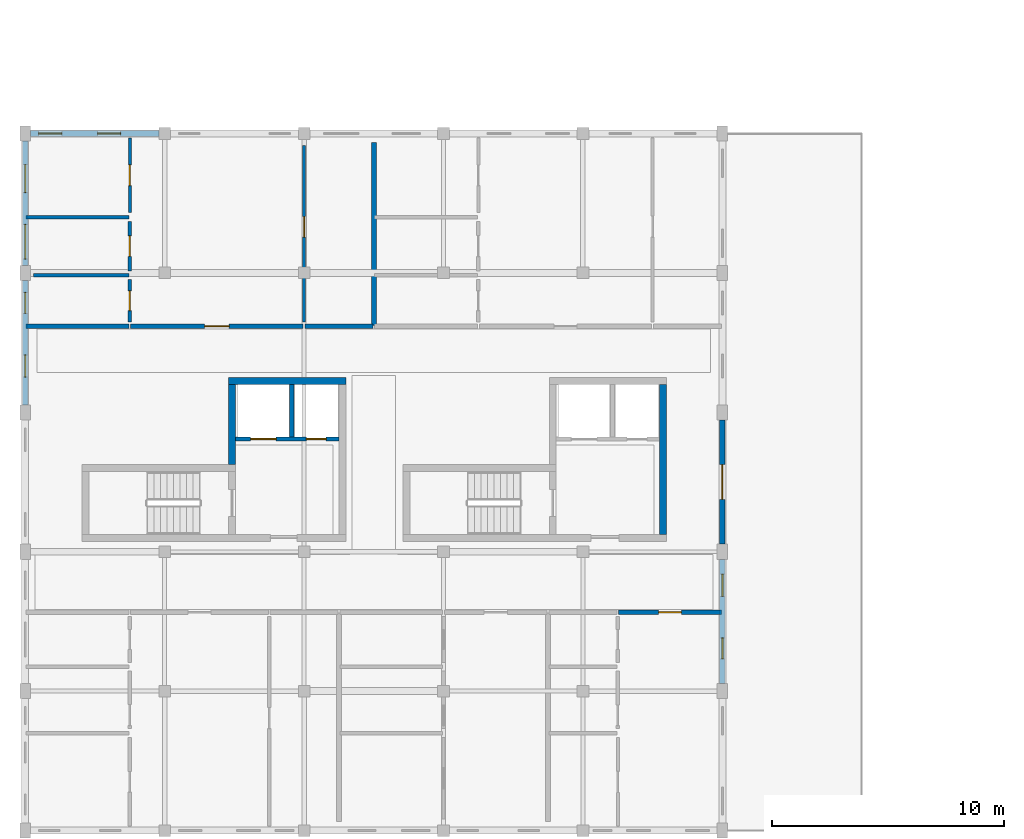
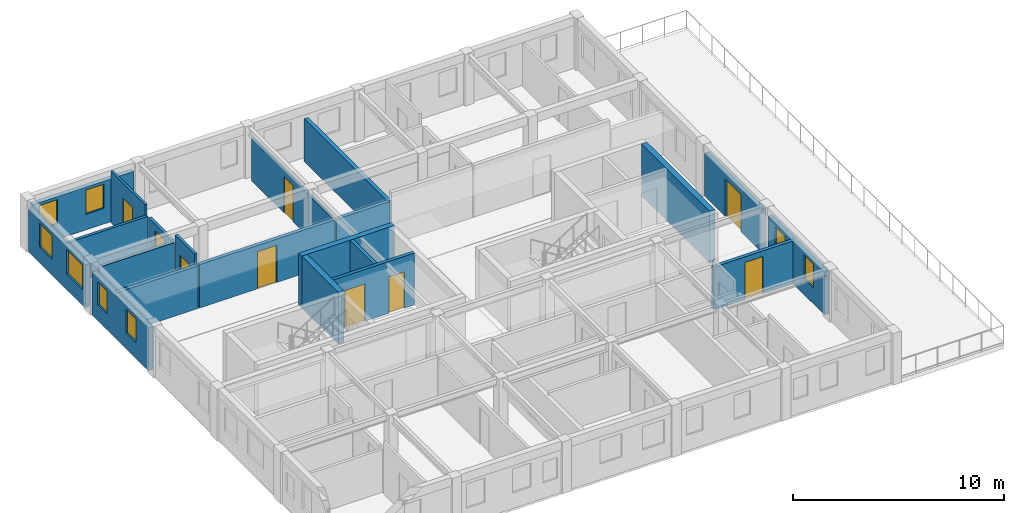
# One storey, part 5 of 13: 21 walls, 9 doors, 8 windows, 17 openings.
"""IFC4 building model written with IfcOpenShell, lengths in metres."""

from ifc_helpers import new_model, si_unit, direction, frame, frame_2d, origin, place, context, subcontext, project, spatial, rectangle, extrude, material, layer, layer_set, type_object, element, fill, save


model = new_model("IFC4")

# Units and contexts
model_context = context("Model", 3, precision=1e-05, world=origin(), true_north=direction((0.0, 1.0)))
body_context = subcontext(model_context, "Body", "Model", "MODEL_VIEW")
ifc_project = project(units=[si_unit("LENGTHUNIT", "METRE"), si_unit("AREAUNIT", "SQUARE_METRE"), si_unit("VOLUMEUNIT", "CUBIC_METRE"), si_unit("PLANEANGLEUNIT", "RADIAN"), si_unit("MASSUNIT", "GRAM", prefix="KILO"), si_unit("POWERUNIT", "WATT"), si_unit("THERMODYNAMICTEMPERATUREUNIT", "KELVIN")], contexts=[model_context])

# Site, building, storey
site_placement = place(None, origin())
site = spatial("IfcSite", under=ifc_project, at=site_placement, CompositionType="ELEMENT")
building_placement = place(site_placement, origin())
building = spatial("IfcBuilding", under=site, at=building_placement, Name="Ruvembo Vaulted Housing Court", CompositionType="ELEMENT")
storey_placement = place(building_placement, frame((0.0, 0.0, 33.300048828125)))
storey = spatial("IfcBuildingStorey", under=building, at=storey_placement, Name="L10", CompositionType="ELEMENT", Elevation=33.300048828125)

# Walls
ifc_material_1 = material(Name="Concrete C35/45", Category="concrete")
ifc_layer_1 = layer(ifc_material_1, 0.300048828125, Name="Concrete C35/45")
ifc_layer_set_1 = layer_set([ifc_layer_1], Name="Concrete C35/45")
wall_type_1 = type_object("IfcWallType", Name="WL-CORE-300", PredefinedType="SHEAR", material=ifc_layer_set_1)
wall_1_placement = place(storey_placement, frame((13.800048828125, 25.35009765625, 0.0), z_axis=(0.0, 0.0, 1.0), x_axis=(-1.0, 0.0, 0.0)))
element("IfcWall", 1, at=wall_1_placement, inside=storey, type_object=wall_type_1, Name="Core A1 L10 North Shear Wall", PredefinedType="SHEAR", context=body_context, shape_type="SweptSolid", body=[
    extrude(rectangle(XDim=5.050048828125, YDim=0.300048828125, at=frame_2d((2.52490234375, 0.0))), origin(), (0.0, 0.0, 1.0), 2.989990234375),
])
wall_2_placement = place(storey_placement, frame((8.89990234375, 21.75, 0.0), z_axis=(0.0, 0.0, 1.0), x_axis=(0.0, 1.0, 0.0)))
element("IfcWall", 2, at=wall_2_placement, inside=storey, type_object=wall_type_1, Name="Core A1 L10 Upper West Shear Wall", PredefinedType="SHEAR", context=body_context, shape_type="SweptSolid", body=[
    extrude(rectangle(XDim=3.449951171875, YDim=0.300048828125, at=frame_2d((1.72509765625, 0.0))), origin(), (0.0, 0.0, 1.0), 2.989990234375),
])
wall_3_placement = place(storey_placement, frame((27.449951171875, 18.75, 0.0), z_axis=(0.0, 0.0, 1.0), x_axis=(0.0, 1.0, 0.0)))
element("IfcWall", 3, at=wall_3_placement, inside=storey, type_object=wall_type_1, Name="Core A2 L10 East Shear Wall", PredefinedType="SHEAR", context=body_context, shape_type="SweptSolid", body=[
    extrude(rectangle(XDim=6.449951171875, YDim=0.300048828125, at=frame_2d((3.22509765625, 0.0))), origin(), (0.0, 0.0, 1.0), 2.989990234375),
])

# Wall, opening, door
ifc_material_2 = material(Name="Concrete Blockwork 190", Category="masonry")
ifc_layer_2 = layer(ifc_material_2, 0.18994140625, Name="Concrete Blockwork 190")
ifc_layer_set_2 = layer_set([ifc_layer_2], Name="Concrete Blockwork 190")
wall_type_2 = type_object("IfcWallType", Name="WL-CORR-190", PredefinedType="SOLIDWALL", material=ifc_layer_set_2)
wall_4_placement = place(storey_placement, frame((25.5400390625, 15.39990234375, 0.0), z_axis=(0.0, 0.0, 1.0), x_axis=(1.0, 0.0, 0.0)))
wall_4 = element("IfcWall", 4, at=wall_4_placement, inside=storey, type_object=wall_type_2, Name="L10 Flat A-L10-S3 Entrance WL-INT-L10-02218", PredefinedType="SOLIDWALL", context=body_context, shape_type="SweptSolid", body=[
    extrude(rectangle(XDim=4.419921875, YDim=0.18994140625, at=frame_2d((2.2099609375, 0.0))), origin(), (0.0, 0.0, 1.0), 2.471923828125),
])
opening_1_placement = place(wall_4_placement, frame((1.719970703125, 0.0, 0.0)))
opening_1 = element("IfcOpeningElement", 5, at=opening_1_placement, cuts=wall_4, Name="Opening FD2", PredefinedType="OPENING", context=body_context, shape_type="SweptSolid", body=[
    extrude(rectangle(XDim=0.97998046875, YDim=2.14990234375, at=frame_2d((0.489990234375, 1.074951171875))), frame((0.0, 0.10498046875, 0.0), z_axis=(0.0, -1.0, 0.0), x_axis=(1.0, 0.0, 0.0)), (0.0, 0.0, 1.0), 0.2099609375),
])
ifc_material_3 = material(Name="FSC Hardwood and Engineered Timber", Category="wood")
door_type_1 = type_object("IfcDoorType", Name="DR-FLAT-0980x2150", OperationType="NOTDEFINED", PredefinedType="DOOR", material=ifc_material_3)
door_1_placement = place(opening_1_placement, origin())
door_1 = element("IfcDoor", 6, at=door_1_placement, inside=storey, type_object=door_type_1, Name="L10 Flat A-L10-S3 Entrance Door DR-INT-L10-01231", OperationType="SINGLE_SWING_LEFT", OverallHeight=2.14990234375, OverallWidth=0.97998046875, PredefinedType="DOOR", context=body_context, shape_type="SweptSolid", body=[
    extrude(rectangle(XDim=0.97998046875, YDim=2.14990234375, at=frame_2d((0.489990234375, 1.074951171875))), frame((0.0, 0.02490234375, 0.0), z_axis=(0.0, -1.0, 0.0), x_axis=(1.0, 0.0, 0.0)), (0.0, 0.0, 1.0), 0.050048828125),
])
fill(opening_1, door_1)

# Wall
wall_5_placement = place(storey_placement, frame((0.0400390625, 27.699951171875, 0.0), z_axis=(0.0, 0.0, 1.0), x_axis=(1.0, 0.0, 0.0)))
element("IfcWall", 7, at=wall_5_placement, inside=storey, type_object=wall_type_2, Name="L10 Flat A-L10-N1 Corridor Wall WL-INT-L10-02225", PredefinedType="SOLIDWALL", context=body_context, shape_type="SweptSolid", body=[
    extrude(rectangle(XDim=4.419921875, YDim=0.18994140625, at=frame_2d((2.2099609375, 0.0))), origin(), (0.0, 0.0, 1.0), 2.471923828125),
])

# Wall, opening, door
wall_6_placement = place(storey_placement, frame((4.5400390625, 27.699951171875, 0.0), z_axis=(0.0, 0.0, 1.0), x_axis=(1.0, 0.0, 0.0)))
wall_6 = element("IfcWall", 8, at=wall_6_placement, inside=storey, type_object=wall_type_2, Name="L10 Flat A-L10-N1 Entrance WL-INT-L10-02226", PredefinedType="SOLIDWALL", context=body_context, shape_type="SweptSolid", body=[
    extrude(rectangle(XDim=7.419921875, YDim=0.18994140625, at=frame_2d((3.7099609375, 0.0))), origin(), (0.0, 0.0, 1.0), 2.508056640625),
])
opening_2_placement = place(wall_6_placement, frame((3.18505859375, 0.0, 0.0)))
opening_2 = element("IfcOpeningElement", 9, at=opening_2_placement, cuts=wall_6, Name="Opening FD3", PredefinedType="OPENING", context=body_context, shape_type="SweptSolid", body=[
    extrude(rectangle(XDim=1.050048828125, YDim=2.14990234375, at=frame_2d((0.52490234375, 1.074951171875))), frame((0.0, 0.10498046875, 0.0), z_axis=(0.0, -1.0, 0.0), x_axis=(1.0, 0.0, 0.0)), (0.0, 0.0, 1.0), 0.2099609375),
])
door_type_2 = type_object("IfcDoorType", Name="DR-FLAT-1050x2150", OperationType="NOTDEFINED", PredefinedType="DOOR", material=ifc_material_3)
door_2_placement = place(opening_2_placement, origin())
door_2 = element("IfcDoor", 10, at=door_2_placement, inside=storey, type_object=door_type_2, Name="L10 Flat A-L10-N1 Entrance Door DR-INT-L10-01235", OperationType="SINGLE_SWING_LEFT", OverallHeight=2.14990234375, OverallWidth=1.050048828125, PredefinedType="DOOR", context=body_context, shape_type="SweptSolid", body=[
    extrude(rectangle(XDim=1.050048828125, YDim=2.14990234375, at=frame_2d((0.52490234375, 1.074951171875))), frame((0.0, 0.02490234375, 0.0), z_axis=(0.0, -1.0, 0.0), x_axis=(1.0, 0.0, 0.0)), (0.0, 0.0, 1.0), 0.050048828125),
])
fill(opening_2, door_2)

# Walls
wall_7_placement = place(storey_placement, frame((12.0400390625, 27.699951171875, 0.0), z_axis=(0.0, 0.0, 1.0), x_axis=(1.0, 0.0, 0.0)))
element("IfcWall", 11, at=wall_7_placement, inside=storey, type_object=wall_type_2, Name="L10 Flat A-L10-N1 Corridor Wall 2 WL-INT-L10-02232", PredefinedType="SOLIDWALL", context=body_context, shape_type="SweptSolid", body=[
    extrude(rectangle(XDim=2.919921875, YDim=0.18994140625, at=frame_2d((1.4599609375, 0.0))), origin(), (0.0, 0.0, 1.0), 2.508056640625),
])
ifc_material_4 = material(Name="Acoustic Masonry Demising 220", Category="masonry")
ifc_layer_3 = layer(ifc_material_4, 0.219970703125, Name="Acoustic Masonry Demising 220")
ifc_layer_set_3 = layer_set([ifc_layer_3], Name="Acoustic Masonry Demising 220")
wall_type_3 = type_object("IfcWallType", Name="WL-DEM-200", PredefinedType="SOLIDWALL", material=ifc_layer_set_3)
wall_8_placement = place(storey_placement, frame((15.0, 27.739990234375, 0.0), z_axis=(0.0, 0.0, 1.0), x_axis=(0.0, 1.0, 0.0)))
element("IfcWall", 12, at=wall_8_placement, inside=storey, type_object=wall_type_3, Name="L10 Demising A-L10-N1 WL-INT-L10-02224", PredefinedType="SOLIDWALL", context=body_context, shape_type="SweptSolid", body=[
    extrude(rectangle(XDim=7.8701171875, YDim=0.219970703125, at=frame_2d((3.93505859375, 0.0))), origin(), (0.0, 0.0, 1.0), 2.471923828125),
])

# Wall, openings, windows
ifc_material_5 = material(Name="Rendered Masonry 245", Category="masonry")
ifc_layer_4 = layer(ifc_material_5, 0.2451171875, Name="Rendered Masonry 245")
ifc_layer_set_4 = layer_set([ifc_layer_4], Name="Rendered Masonry 245")
wall_type_4 = type_object("IfcWallType", Name="WL-EXT-245", PredefinedType="STANDARD", material=ifc_layer_set_4)
wall_9_placement = place(storey_placement, frame((30.0, 12.324951171875, 0.0), z_axis=(0.0, 0.0, 1.0), x_axis=(0.0, 1.0, 0.0)))
wall_9 = element("IfcWall", 13, at=wall_9_placement, inside=storey, type_object=wall_type_4, Name="Block A L10 Exterior Wall EAST #2", PredefinedType="STANDARD", context=body_context, shape_type="SweptSolid", body=[
    extrude(rectangle(XDim=5.35009765625, YDim=0.2451171875, at=frame_2d((2.675048828125, 0.0))), origin(), (0.0, 0.0, 1.0), 2.471923828125),
])
opening_3_placement = place(wall_9_placement, frame((1.0673828125, 0.0, 0.89990234375)))
opening_3 = element("IfcOpeningElement", 14, at=opening_3_placement, cuts=wall_9, Name="Opening W05", PredefinedType="OPENING", context=body_context, shape_type="SweptSolid", body=[
    extrude(rectangle(XDim=0.89990234375, YDim=1.39990234375, at=frame_2d((0.449951171875, 0.699951171875))), frame((0.0, 0.132568359375, 0.0), z_axis=(0.0, -1.0, 0.0), x_axis=(1.0, 0.0, 0.0)), (0.0, 0.0, 1.0), 0.26513671875),
])
opening_4_placement = place(wall_9_placement, frame((3.757568359375, 0.0, 0.89990234375)))
opening_4 = element("IfcOpeningElement", 15, at=opening_4_placement, cuts=wall_9, Name="Opening W07", PredefinedType="OPENING", context=body_context, shape_type="SweptSolid", body=[
    extrude(rectangle(XDim=0.949951171875, YDim=1.35009765625, at=frame_2d((0.47509765625, 0.675048828125))), frame((0.0, 0.132568359375, 0.0), z_axis=(0.0, -1.0, 0.0), x_axis=(1.0, 0.0, 0.0)), (0.0, 0.0, 1.0), 0.26513671875),
])
ifc_material_6 = material(Name="Double Solar-Control Glazing in Aluminium Frame", Category="aluminium")
window_type_1 = type_object("IfcWindowType", Name="WIN-0900x1400", PartitioningType="SINGLE_PANEL", PredefinedType="WINDOW", material=ifc_material_6)
window_1_placement = place(opening_3_placement, origin())
window_1 = element("IfcWindow", 16, at=window_1_placement, inside=storey, type_object=window_type_1, Name="Block A L10 Window #444", OverallHeight=1.39990234375, OverallWidth=0.89990234375, PartitioningType="SINGLE_PANEL", PredefinedType="WINDOW", context=body_context, shape_type="SweptSolid", body=[
    extrude(rectangle(XDim=0.89990234375, YDim=1.39990234375, at=frame_2d((0.449951171875, 0.699951171875))), frame((0.0, 0.030029296875, 0.0), z_axis=(0.0, -1.0, 0.0), x_axis=(1.0, 0.0, 0.0)), (0.0, 0.0, 1.0), 0.06005859375),
])
fill(opening_3, window_1)
window_type_2 = type_object("IfcWindowType", Name="WIN-0950x1350", PartitioningType="SINGLE_PANEL", PredefinedType="WINDOW", material=ifc_material_6)
window_2_placement = place(opening_4_placement, origin())
window_2 = element("IfcWindow", 17, at=window_2_placement, inside=storey, type_object=window_type_2, Name="Block A L10 Window #445", OverallHeight=1.35009765625, OverallWidth=0.949951171875, PartitioningType="SINGLE_PANEL", PredefinedType="WINDOW", context=body_context, shape_type="SweptSolid", body=[
    extrude(rectangle(XDim=0.949951171875, YDim=1.35009765625, at=frame_2d((0.47509765625, 0.675048828125))), frame((0.0, 0.030029296875, 0.0), z_axis=(0.0, -1.0, 0.0), x_axis=(1.0, 0.0, 0.0)), (0.0, 0.0, 1.0), 0.06005859375),
])
fill(opening_4, window_2)

# Wall, opening, door
wall_10_placement = place(storey_placement, frame((30.0, 18.324951171875, 0.0), z_axis=(0.0, 0.0, 1.0), x_axis=(0.0, 1.0, 0.0)))
wall_10 = element("IfcWall", 18, at=wall_10_placement, inside=storey, type_object=wall_type_4, Name="Block A L10 Exterior Wall EAST #3", PredefinedType="STANDARD", context=body_context, shape_type="SweptSolid", body=[
    extrude(rectangle(XDim=5.35009765625, YDim=0.2451171875, at=frame_2d((2.675048828125, 0.0))), origin(), (0.0, 0.0, 1.0), 2.471923828125),
])
opening_5_placement = place(wall_10_placement, frame((1.925048828125, 0.0, 0.0)))
opening_5 = element("IfcOpeningElement", 19, at=opening_5_placement, cuts=wall_10, Name="Opening TD1", PredefinedType="OPENING", context=body_context, shape_type="SweptSolid", body=[
    extrude(rectangle(XDim=1.5, YDim=2.14990234375, at=frame_2d((0.75, 1.074951171875))), frame((0.0, 0.132568359375, 0.0), z_axis=(0.0, -1.0, 0.0), x_axis=(1.0, 0.0, 0.0)), (0.0, 0.0, 1.0), 0.26513671875),
])
ifc_material_7 = material(Name="Thermally Broken Glazed Aluminium", Category="aluminium")
door_type_3 = type_object("IfcDoorType", Name="DR-TER-1500x2150", OperationType="NOTDEFINED", PredefinedType="DOOR", material=ifc_material_7)
door_3_placement = place(opening_5_placement, frame((1.5, 0.0, 0.0), z_axis=(0.0, 0.0, 1.0), x_axis=(-1.0, 0.0, 0.0)))
door_3 = element("IfcDoor", 20, at=door_3_placement, inside=storey, type_object=door_type_3, Name="Block A L10 Terrace or Gallery Door DR-TER-A-L10-024", OperationType="SINGLE_SWING_LEFT", OverallHeight=2.14990234375, OverallWidth=1.5, PredefinedType="DOOR", context=body_context, shape_type="SweptSolid", body=[
    extrude(rectangle(XDim=1.5, YDim=2.14990234375, at=frame_2d((0.75, 1.074951171875))), frame((0.0, 0.02490234375, 0.0), z_axis=(0.0, -1.0, 0.0), x_axis=(1.0, 0.0, 0.0)), (0.0, 0.0, 1.0), 0.050048828125),
])
fill(opening_5, door_3)

# Wall, openings, windows
wall_11_placement = place(storey_placement, frame((5.75, 36.0, 0.0), z_axis=(0.0, 0.0, 1.0), x_axis=(-1.0, 0.0, 0.0)))
wall_11 = element("IfcWall", 21, at=wall_11_placement, inside=storey, type_object=wall_type_4, Name="Block A L10 Exterior Wall COURTYARD #5", PredefinedType="STANDARD", context=body_context, shape_type="SweptSolid", body=[
    extrude(rectangle(XDim=5.52490234375, YDim=0.2451171875, at=frame_2d((2.762451171875, 0.0))), origin(), (0.0, 0.0, 1.0), 2.471923828125),
])
opening_6_placement = place(wall_11_placement, frame((1.639892578125, 0.0, 0.89990234375)))
opening_6 = element("IfcOpeningElement", 22, at=opening_6_placement, cuts=wall_11, Name="Opening W08", PredefinedType="OPENING", context=body_context, shape_type="SweptSolid", body=[
    extrude(rectangle(XDim=1.0, YDim=1.39990234375, at=frame_2d((0.5, 0.699951171875))), frame((0.0, 0.132568359375, 0.0), z_axis=(0.0, -1.0, 0.0), x_axis=(1.0, 0.0, 0.0)), (0.0, 0.0, 1.0), 0.26513671875),
])
opening_7_placement = place(wall_11_placement, frame((4.175048828125, 0.0, 0.89990234375)))
opening_7 = element("IfcOpeningElement", 23, at=opening_7_placement, cuts=wall_11, Name="Opening W08", PredefinedType="OPENING", context=body_context, shape_type="SweptSolid", body=[
    extrude(rectangle(XDim=1.0, YDim=1.39990234375, at=frame_2d((0.5, 0.699951171875))), frame((0.0, 0.132568359375, 0.0), z_axis=(0.0, -1.0, 0.0), x_axis=(1.0, 0.0, 0.0)), (0.0, 0.0, 1.0), 0.26513671875),
])
window_type_3 = type_object("IfcWindowType", Name="WIN-1000x1400", PartitioningType="SINGLE_PANEL", PredefinedType="WINDOW", material=ifc_material_6)
window_3_placement = place(opening_6_placement, origin())
window_3 = element("IfcWindow", 24, at=window_3_placement, inside=storey, type_object=window_type_3, Name="Block A L10 Window #458", OverallHeight=1.39990234375, OverallWidth=1.0, PartitioningType="SINGLE_PANEL", PredefinedType="WINDOW", context=body_context, shape_type="SweptSolid", body=[
    extrude(rectangle(XDim=1.0, YDim=1.39990234375, at=frame_2d((0.5, 0.699951171875))), frame((0.0, 0.030029296875, 0.0), z_axis=(0.0, -1.0, 0.0), x_axis=(1.0, 0.0, 0.0)), (0.0, 0.0, 1.0), 0.06005859375),
])
fill(opening_6, window_3)
window_4_placement = place(opening_7_placement, origin())
window_4 = element("IfcWindow", 25, at=window_4_placement, inside=storey, type_object=window_type_3, Name="Block A L10 Window #459", OverallHeight=1.39990234375, OverallWidth=1.0, PartitioningType="SINGLE_PANEL", PredefinedType="WINDOW", context=body_context, shape_type="SweptSolid", body=[
    extrude(rectangle(XDim=1.0, YDim=1.39990234375, at=frame_2d((0.5, 0.699951171875))), frame((0.0, 0.030029296875, 0.0), z_axis=(0.0, -1.0, 0.0), x_axis=(1.0, 0.0, 0.0)), (0.0, 0.0, 1.0), 0.06005859375),
])
fill(opening_7, window_4)

wall_12_placement = place(storey_placement, frame((0.0, 35.675048828125, 0.0), z_axis=(0.0, 0.0, 1.0), x_axis=(0.0, -1.0, 0.0)))
wall_12 = element("IfcWall", 26, at=wall_12_placement, inside=storey, type_object=wall_type_4, Name="Block A L10 Exterior Wall WEST #1", PredefinedType="STANDARD", context=body_context, shape_type="SweptSolid", body=[
    extrude(rectangle(XDim=5.35009765625, YDim=0.2451171875, at=frame_2d((2.675048828125, 0.0))), origin(), (0.0, 0.0, 1.0), 2.471923828125),
])
opening_8_placement = place(wall_12_placement, frame((1.017578125, 0.0, 0.89990234375)))
opening_8 = element("IfcOpeningElement", 27, at=opening_8_placement, cuts=wall_12, Name="Opening W12", PredefinedType="OPENING", context=body_context, shape_type="SweptSolid", body=[
    extrude(rectangle(XDim=1.199951171875, YDim=1.35009765625, at=frame_2d((0.60009765625, 0.675048828125))), frame((0.0, 0.132568359375, 0.0), z_axis=(0.0, -1.0, 0.0), x_axis=(1.0, 0.0, 0.0)), (0.0, 0.0, 1.0), 0.26513671875),
])
opening_9_placement = place(wall_12_placement, frame((3.58251953125, 0.0, 0.89990234375)))
opening_9 = element("IfcOpeningElement", 28, at=opening_9_placement, cuts=wall_12, Name="Opening W18", PredefinedType="OPENING", context=body_context, shape_type="SweptSolid", body=[
    extrude(rectangle(XDim=1.5, YDim=1.39990234375, at=frame_2d((0.75, 0.699951171875))), frame((0.0, 0.132568359375, 0.0), z_axis=(0.0, -1.0, 0.0), x_axis=(1.0, 0.0, 0.0)), (0.0, 0.0, 1.0), 0.26513671875),
])
window_type_4 = type_object("IfcWindowType", Name="WIN-1200x1350", PartitioningType="SINGLE_PANEL", PredefinedType="WINDOW", material=ifc_material_6)
window_5_placement = place(opening_8_placement, origin())
window_5 = element("IfcWindow", 29, at=window_5_placement, inside=storey, type_object=window_type_4, Name="Block A L10 Window #460", OverallHeight=1.35009765625, OverallWidth=1.199951171875, PartitioningType="SINGLE_PANEL", PredefinedType="WINDOW", context=body_context, shape_type="SweptSolid", body=[
    extrude(rectangle(XDim=1.199951171875, YDim=1.35009765625, at=frame_2d((0.60009765625, 0.675048828125))), frame((0.0, 0.030029296875, 0.0), z_axis=(0.0, -1.0, 0.0), x_axis=(1.0, 0.0, 0.0)), (0.0, 0.0, 1.0), 0.06005859375),
])
fill(opening_8, window_5)
window_type_5 = type_object("IfcWindowType", Name="WIN-1500x1400", PartitioningType="SINGLE_PANEL", PredefinedType="WINDOW", material=ifc_material_6)
window_6_placement = place(opening_9_placement, origin())
window_6 = element("IfcWindow", 30, at=window_6_placement, inside=storey, type_object=window_type_5, Name="Block A L10 Window #461", OverallHeight=1.39990234375, OverallWidth=1.5, PartitioningType="SINGLE_PANEL", PredefinedType="WINDOW", context=body_context, shape_type="SweptSolid", body=[
    extrude(rectangle(XDim=1.5, YDim=1.39990234375, at=frame_2d((0.75, 0.699951171875))), frame((0.0, 0.030029296875, 0.0), z_axis=(0.0, -1.0, 0.0), x_axis=(1.0, 0.0, 0.0)), (0.0, 0.0, 1.0), 0.06005859375),
])
fill(opening_9, window_6)

wall_13_placement = place(storey_placement, frame((0.0, 29.675048828125, 0.0), z_axis=(0.0, 0.0, 1.0), x_axis=(0.0, -1.0, 0.0)))
wall_13 = element("IfcWall", 31, at=wall_13_placement, inside=storey, type_object=wall_type_4, Name="Block A L10 Exterior Wall WEST #2", PredefinedType="STANDARD", context=body_context, shape_type="SweptSolid", body=[
    extrude(rectangle(XDim=5.35009765625, YDim=0.2451171875, at=frame_2d((2.675048828125, 0.0))), origin(), (0.0, 0.0, 1.0), 2.471923828125),
])
opening_10_placement = place(wall_13_placement, frame((0.517578125, 0.0, 0.89990234375)))
opening_10 = element("IfcOpeningElement", 32, at=opening_10_placement, cuts=wall_13, Name="Opening W04", PredefinedType="OPENING", context=body_context, shape_type="SweptSolid", body=[
    extrude(rectangle(XDim=0.89990234375, YDim=1.300048828125, at=frame_2d((0.449951171875, 0.64990234375))), frame((0.0, 0.132568359375, 0.0), z_axis=(0.0, -1.0, 0.0), x_axis=(1.0, 0.0, 0.0)), (0.0, 0.0, 1.0), 0.26513671875),
])
opening_11_placement = place(wall_13_placement, frame((3.20751953125, 0.0, 0.89990234375)))
opening_11 = element("IfcOpeningElement", 33, at=opening_11_placement, cuts=wall_13, Name="Opening W07", PredefinedType="OPENING", context=body_context, shape_type="SweptSolid", body=[
    extrude(rectangle(XDim=0.949951171875, YDim=1.35009765625, at=frame_2d((0.47509765625, 0.675048828125))), frame((0.0, 0.132568359375, 0.0), z_axis=(0.0, -1.0, 0.0), x_axis=(1.0, 0.0, 0.0)), (0.0, 0.0, 1.0), 0.26513671875),
])
window_type_6 = type_object("IfcWindowType", Name="WIN-0900x1300", PartitioningType="SINGLE_PANEL", PredefinedType="WINDOW", material=ifc_material_6)
window_7_placement = place(opening_10_placement, origin())
window_7 = element("IfcWindow", 34, at=window_7_placement, inside=storey, type_object=window_type_6, Name="Block A L10 Window #462", OverallHeight=1.300048828125, OverallWidth=0.89990234375, PartitioningType="SINGLE_PANEL", PredefinedType="WINDOW", context=body_context, shape_type="SweptSolid", body=[
    extrude(rectangle(XDim=0.89990234375, YDim=1.300048828125, at=frame_2d((0.449951171875, 0.64990234375))), frame((0.0, 0.030029296875, 0.0), z_axis=(0.0, -1.0, 0.0), x_axis=(1.0, 0.0, 0.0)), (0.0, 0.0, 1.0), 0.06005859375),
])
fill(opening_10, window_7)
window_8_placement = place(opening_11_placement, origin())
window_8 = element("IfcWindow", 35, at=window_8_placement, inside=storey, type_object=window_type_2, Name="Block A L10 Window #463", OverallHeight=1.35009765625, OverallWidth=0.949951171875, PartitioningType="SINGLE_PANEL", PredefinedType="WINDOW", context=body_context, shape_type="SweptSolid", body=[
    extrude(rectangle(XDim=0.949951171875, YDim=1.35009765625, at=frame_2d((0.47509765625, 0.675048828125))), frame((0.0, 0.030029296875, 0.0), z_axis=(0.0, -1.0, 0.0), x_axis=(1.0, 0.0, 0.0)), (0.0, 0.0, 1.0), 0.06005859375),
])
fill(opening_11, window_8)

# Wall, opening, door
ifc_material_8 = material(Name="Plasterboard Stud Partition 125", Category="gypsum")
ifc_layer_5 = layer(ifc_material_8, 0.125, Name="Plasterboard Stud Partition 125")
ifc_layer_set_5 = layer_set([ifc_layer_5], Name="Plasterboard Stud Partition 125")
wall_type_5 = type_object("IfcWallType", Name="WL-PART-125", PredefinedType="PARTITIONING", material=ifc_layer_set_5)
wall_14_placement = place(storey_placement, frame((4.5, 32.590087890625, 0.0), z_axis=(0.0, 0.0, 1.0), x_axis=(0.0, 1.0, 0.0)))
wall_14 = element("IfcWall", 36, at=wall_14_placement, inside=storey, type_object=wall_type_5, Name="L10 Flat A-L10-N1 Bedroom 1 WL-INT-L10-02227", PredefinedType="PARTITIONING", context=body_context, shape_type="SweptSolid", body=[
    extrude(rectangle(XDim=3.219970703125, YDim=0.125, at=frame_2d((1.60986328125, 0.0))), origin(), (0.0, 0.0, 1.0), 2.989990234375),
])
opening_12_placement = place(wall_14_placement, frame((1.159912109375, 0.0, 0.0)))
opening_12 = element("IfcOpeningElement", 37, at=opening_12_placement, cuts=wall_14, Name="Opening ID1", PredefinedType="OPENING", context=body_context, shape_type="SweptSolid", body=[
    extrude(rectangle(XDim=0.89990234375, YDim=2.10009765625, at=frame_2d((0.449951171875, 1.050048828125))), frame((0.0, 0.072509765625, 0.0), z_axis=(0.0, -1.0, 0.0), x_axis=(1.0, 0.0, 0.0)), (0.0, 0.0, 1.0), 0.14501953125),
])
door_type_4 = type_object("IfcDoorType", Name="DR-ROOM-0900x2100", OperationType="NOTDEFINED", PredefinedType="DOOR", material=ifc_material_3)
door_4_placement = place(opening_12_placement, origin())
door_4 = element("IfcDoor", 38, at=door_4_placement, inside=storey, type_object=door_type_4, Name="L10 Flat A-L10-N1 Bedroom 1 Door DR-INT-L10-01236", OperationType="SINGLE_SWING_RIGHT", OverallHeight=2.10009765625, OverallWidth=0.89990234375, PredefinedType="DOOR", context=body_context, shape_type="SweptSolid", body=[
    extrude(rectangle(XDim=0.89990234375, YDim=2.10009765625, at=frame_2d((0.449951171875, 1.050048828125))), frame((0.0, 0.02490234375, 0.0), z_axis=(0.0, -1.0, 0.0), x_axis=(1.0, 0.0, 0.0)), (0.0, 0.0, 1.0), 0.050048828125),
])
fill(opening_12, door_4)

wall_15_placement = place(storey_placement, frame((12.0, 27.889892578125, 0.0), z_axis=(0.0, 0.0, 1.0), x_axis=(0.0, 1.0, 0.0)))
wall_15 = element("IfcWall", 39, at=wall_15_placement, inside=storey, type_object=wall_type_5, Name="L10 Flat A-L10-N1 Bedroom 2 WL-INT-L10-02233", PredefinedType="PARTITIONING", context=body_context, shape_type="SweptSolid", body=[
    extrude(rectangle(XDim=7.60009765625, YDim=0.125, at=frame_2d((3.800048828125, 0.0))), origin(), (0.0, 0.0, 1.0), 2.4580078125),
])
opening_13_placement = place(wall_15_placement, frame((3.64990234375, 0.0, 0.0)))
opening_13 = element("IfcOpeningElement", 40, at=opening_13_placement, cuts=wall_15, Name="Opening ID3", PredefinedType="OPENING", context=body_context, shape_type="SweptSolid", body=[
    extrude(rectangle(XDim=0.8798828125, YDim=2.10009765625, at=frame_2d((0.43994140625, 1.050048828125))), frame((0.0, 0.072509765625, 0.0), z_axis=(0.0, -1.0, 0.0), x_axis=(1.0, 0.0, 0.0)), (0.0, 0.0, 1.0), 0.14501953125),
])
door_type_5 = type_object("IfcDoorType", Name="DR-ROOM-0880x2100", OperationType="NOTDEFINED", PredefinedType="DOOR", material=ifc_material_3)
door_5_placement = place(opening_13_placement, origin())
door_5 = element("IfcDoor", 41, at=door_5_placement, inside=storey, type_object=door_type_5, Name="L10 Flat A-L10-N1 Bedroom 2 Door DR-INT-L10-01239", OperationType="SINGLE_SWING_LEFT", OverallHeight=2.10009765625, OverallWidth=0.8798828125, PredefinedType="DOOR", context=body_context, shape_type="SweptSolid", body=[
    extrude(rectangle(XDim=0.8798828125, YDim=2.10009765625, at=frame_2d((0.43994140625, 1.050048828125))), frame((0.0, 0.02490234375, 0.0), z_axis=(0.0, -1.0, 0.0), x_axis=(1.0, 0.0, 0.0)), (0.0, 0.0, 1.0), 0.050048828125),
])
fill(opening_13, door_5)

ifc_material_9 = material(Name="Moisture-Resistant Wet Partition 150", Category="gypsum")
ifc_layer_6 = layer(ifc_material_9, 0.14990234375, Name="Moisture-Resistant Wet Partition 150")
ifc_layer_set_6 = layer_set([ifc_layer_6], Name="Moisture-Resistant Wet Partition 150")
wall_type_6 = type_object("IfcWallType", Name="WL-PART-150", PredefinedType="PARTITIONING", material=ifc_layer_set_6)
wall_16_placement = place(storey_placement, frame((4.5, 27.889892578125, 0.0), z_axis=(0.0, 0.0, 1.0), x_axis=(0.0, 1.0, 0.0)))
wall_16 = element("IfcWall", 42, at=wall_16_placement, inside=storey, type_object=wall_type_6, Name="L10 Flat A-L10-N1 Bathroom WL-INT-L10-02229", PredefinedType="PARTITIONING", context=body_context, shape_type="SweptSolid", body=[
    extrude(rectangle(XDim=1.820068359375, YDim=0.14990234375, at=frame_2d((0.91015625, 0.0))), origin(), (0.0, 0.0, 1.0), 2.989990234375),
])
opening_14_placement = place(wall_16_placement, frame((0.485107421875, 0.0, 0.0)))
opening_14 = element("IfcOpeningElement", 43, at=opening_14_placement, cuts=wall_16, Name="Opening ID2", PredefinedType="OPENING", context=body_context, shape_type="SweptSolid", body=[
    extrude(rectangle(XDim=0.85009765625, YDim=2.10009765625, at=frame_2d((0.425048828125, 1.050048828125))), frame((0.0, 0.0849609375, 0.0), z_axis=(0.0, -1.0, 0.0), x_axis=(1.0, 0.0, 0.0)), (0.0, 0.0, 1.0), 0.169921875),
])
door_type_6 = type_object("IfcDoorType", Name="DR-WET-0850x2100", OperationType="NOTDEFINED", PredefinedType="DOOR", material=ifc_material_3)
door_6_placement = place(opening_14_placement, origin())
door_6 = element("IfcDoor", 44, at=door_6_placement, inside=storey, type_object=door_type_6, Name="L10 Flat A-L10-N1 Bathroom Door DR-INT-L10-01238", OperationType="SINGLE_SWING_RIGHT", OverallHeight=2.10009765625, OverallWidth=0.85009765625, PredefinedType="DOOR", context=body_context, shape_type="SweptSolid", body=[
    extrude(rectangle(XDim=0.85009765625, YDim=2.10009765625, at=frame_2d((0.425048828125, 1.050048828125))), frame((0.0, 0.02490234375, 0.0), z_axis=(0.0, -1.0, 0.0), x_axis=(1.0, 0.0, 0.0)), (0.0, 0.0, 1.0), 0.050048828125),
])
fill(opening_14, door_6)

# Walls
wall_17_placement = place(storey_placement, frame((0.0400390625, 32.39990234375, 0.0), z_axis=(0.0, 0.0, 1.0), x_axis=(1.0, 0.0, 0.0)))
element("IfcWall", 45, at=wall_17_placement, inside=storey, type_object=wall_type_6, Name="L10 Flat A-L10-N1 Wet Wall 1 WL-INT-L10-02230", PredefinedType="PARTITIONING", context=body_context, shape_type="SweptSolid", body=[
    extrude(rectangle(XDim=4.419921875, YDim=0.14990234375, at=frame_2d((2.2099609375, 0.0))), origin(), (0.0, 0.0, 1.0), 2.471923828125),
])
wall_18_placement = place(storey_placement, frame((0.360107421875, 29.89990234375, 0.0), z_axis=(0.0, 0.0, 1.0), x_axis=(1.0, 0.0, 0.0)))
element("IfcWall", 46, at=wall_18_placement, inside=storey, type_object=wall_type_6, Name="L10 Flat A-L10-N1 Wet Wall 2 WL-INT-L10-02231", PredefinedType="PARTITIONING", context=body_context, shape_type="SweptSolid", body=[
    extrude(rectangle(XDim=4.099853515625, YDim=0.14990234375, at=frame_2d((2.0498046875, 0.0))), origin(), (0.0, 0.0, 1.0), 2.471923828125),
])

# Wall, opening, door
ifc_material_10 = material(Name="Acoustic Service Chase Wall 160", Category="gypsum")
ifc_layer_7 = layer(ifc_material_10, 0.159912109375, Name="Acoustic Service Chase Wall 160")
ifc_layer_set_7 = layer_set([ifc_layer_7], Name="Acoustic Service Chase Wall 160")
wall_type_7 = type_object("IfcWallType", Name="WL-PLUMB-160", PredefinedType="PLUMBINGWALL", material=ifc_layer_set_7)
wall_19_placement = place(storey_placement, frame((4.5, 30.090087890625, 0.0), z_axis=(0.0, 0.0, 1.0), x_axis=(0.0, 1.0, 0.0)))
wall_19 = element("IfcWall", 47, at=wall_19_placement, inside=storey, type_object=wall_type_7, Name="L10 Flat A-L10-N1 Kitchen WL-INT-L10-02228", PredefinedType="PLUMBINGWALL", context=body_context, shape_type="SweptSolid", body=[
    extrude(rectangle(XDim=2.119873046875, YDim=0.159912109375, at=frame_2d((1.06005859375, 0.0))), origin(), (0.0, 0.0, 1.0), 2.471923828125),
])
opening_15_placement = place(wall_19_placement, frame((0.6201171875, 0.0, 0.0)))
opening_15 = element("IfcOpeningElement", 48, at=opening_15_placement, cuts=wall_19, Name="Opening ID3", PredefinedType="OPENING", context=body_context, shape_type="SweptSolid", body=[
    extrude(rectangle(XDim=0.8798828125, YDim=2.10009765625, at=frame_2d((0.43994140625, 1.050048828125))), frame((0.0, 0.08984375, 0.0), z_axis=(0.0, -1.0, 0.0), x_axis=(1.0, 0.0, 0.0)), (0.0, 0.0, 1.0), 0.179931640625),
])
door_7_placement = place(opening_15_placement, origin())
door_7 = element("IfcDoor", 49, at=door_7_placement, inside=storey, type_object=door_type_5, Name="L10 Flat A-L10-N1 Kitchen Door DR-INT-L10-01237", OperationType="SINGLE_SWING_LEFT", OverallHeight=2.10009765625, OverallWidth=0.8798828125, PredefinedType="DOOR", context=body_context, shape_type="SweptSolid", body=[
    extrude(rectangle(XDim=0.8798828125, YDim=2.10009765625, at=frame_2d((0.43994140625, 1.050048828125))), frame((0.0, 0.02490234375, 0.0), z_axis=(0.0, -1.0, 0.0), x_axis=(1.0, 0.0, 0.0)), (0.0, 0.0, 1.0), 0.050048828125),
])
fill(opening_15, door_7)

# Wall, openings, doors
ifc_material_11 = material(Name="Fire-Rated Masonry Shaft 180", Category="masonry")
ifc_layer_8 = layer(ifc_material_11, 0.179931640625, Name="Fire-Rated Masonry Shaft 180")
ifc_layer_set_8 = layer_set([ifc_layer_8], Name="Fire-Rated Masonry Shaft 180")
wall_type_8 = type_object("IfcWallType", Name="WL-SHAFT-180", PredefinedType="SOLIDWALL", material=ifc_layer_set_8)
wall_20_placement = place(storey_placement, frame((9.050048828125, 22.85009765625, 0.0), z_axis=(0.0, 0.0, 1.0), x_axis=(1.0, 0.0, 0.0)))
wall_20 = element("IfcWall", 50, at=wall_20_placement, inside=storey, type_object=wall_type_8, Name="Core A1 L10 Lift and Riser Front Wall", PredefinedType="SOLIDWALL", context=body_context, shape_type="SweptSolid", body=[
    extrude(rectangle(XDim=4.449951171875, YDim=0.179931640625, at=frame_2d((2.22509765625, 0.0))), origin(), (0.0, 0.0, 1.0), 2.989990234375),
])
opening_16_placement = place(wall_20_placement, frame((0.64990234375, 0.0, 0.0)))
opening_16 = element("IfcOpeningElement", 51, at=opening_16_placement, cuts=wall_20, Name="Opening LD-FL-A1-L10", PredefinedType="OPENING", context=body_context, shape_type="SweptSolid", body=[
    extrude(rectangle(XDim=1.10009765625, YDim=2.14990234375, at=frame_2d((0.550048828125, 1.074951171875))), frame((0.0, 0.099853515625, 0.0), z_axis=(0.0, -1.0, 0.0), x_axis=(1.0, 0.0, 0.0)), (0.0, 0.0, 1.0), 0.199951171875),
])
opening_17_placement = place(wall_20_placement, frame((3.050048828125, 0.0, 0.0)))
opening_17 = element("IfcOpeningElement", 52, at=opening_17_placement, cuts=wall_20, Name="Opening RD1", PredefinedType="OPENING", context=body_context, shape_type="SweptSolid", body=[
    extrude(rectangle(XDim=0.85009765625, YDim=2.10009765625, at=frame_2d((0.425048828125, 1.050048828125))), frame((0.0, 0.099853515625, 0.0), z_axis=(0.0, -1.0, 0.0), x_axis=(1.0, 0.0, 0.0)), (0.0, 0.0, 1.0), 0.199951171875),
])
ifc_material_12 = material(Name="Brushed Stainless Steel 304", Category="steel")
door_type_7 = type_object("IfcDoorType", Name="DR-LIFT-1100x2150", OperationType="NOTDEFINED", PredefinedType="DOOR", material=ifc_material_12)
door_8_placement = place(opening_16_placement, origin())
door_8 = element("IfcDoor", 53, at=door_8_placement, inside=storey, type_object=door_type_7, Name="Lift FL-A1 L10 Sliding Landing Door", OperationType="SLIDING_TO_LEFT", OverallHeight=2.14990234375, OverallWidth=1.10009765625, PredefinedType="DOOR", context=body_context, shape_type="SweptSolid", body=[
    extrude(rectangle(XDim=1.10009765625, YDim=2.14990234375, at=frame_2d((0.550048828125, 1.074951171875))), frame((0.0, 0.02490234375, 0.0), z_axis=(0.0, -1.0, 0.0), x_axis=(1.0, 0.0, 0.0)), (0.0, 0.0, 1.0), 0.050048828125),
])
fill(opening_16, door_8)
ifc_material_13 = material(Name="Galvanised Painted Steel", Category="steel")
door_type_8 = type_object("IfcDoorType", Name="DR-RISER-0850x2100", OperationType="NOTDEFINED", PredefinedType="DOOR", material=ifc_material_13)
door_9_placement = place(opening_17_placement, frame((0.85009765625, 0.0, 0.0), z_axis=(0.0, 0.0, 1.0), x_axis=(-1.0, 0.0, 0.0)))
door_9 = element("IfcDoor", 54, at=door_9_placement, inside=storey, type_object=door_type_8, Name="Core A1 L10 Service Riser Door", OperationType="SINGLE_SWING_RIGHT", OverallHeight=2.10009765625, OverallWidth=0.85009765625, PredefinedType="DOOR", context=body_context, shape_type="SweptSolid", body=[
    extrude(rectangle(XDim=0.85009765625, YDim=2.10009765625, at=frame_2d((0.425048828125, 1.050048828125))), frame((0.0, 0.02490234375, 0.0), z_axis=(0.0, -1.0, 0.0), x_axis=(1.0, 0.0, 0.0)), (0.0, 0.0, 1.0), 0.050048828125),
])
fill(opening_17, door_9)

# Wall
wall_21_placement = place(storey_placement, frame((11.469970703125, 22.93994140625, 0.0), z_axis=(0.0, 0.0, 1.0), x_axis=(0.0, 1.0, 0.0)))
element("IfcWall", 55, at=wall_21_placement, inside=storey, type_object=wall_type_8, Name="Core A1 L10 Shaft-Riser Divider Wall", PredefinedType="SOLIDWALL", context=body_context, shape_type="SweptSolid", body=[
    extrude(rectangle(XDim=2.260009765625, YDim=0.179931640625, at=frame_2d((1.1298828125, 0.0))), origin(), (0.0, 0.0, 1.0), 2.989990234375),
])

save(model, "model.ifc")
